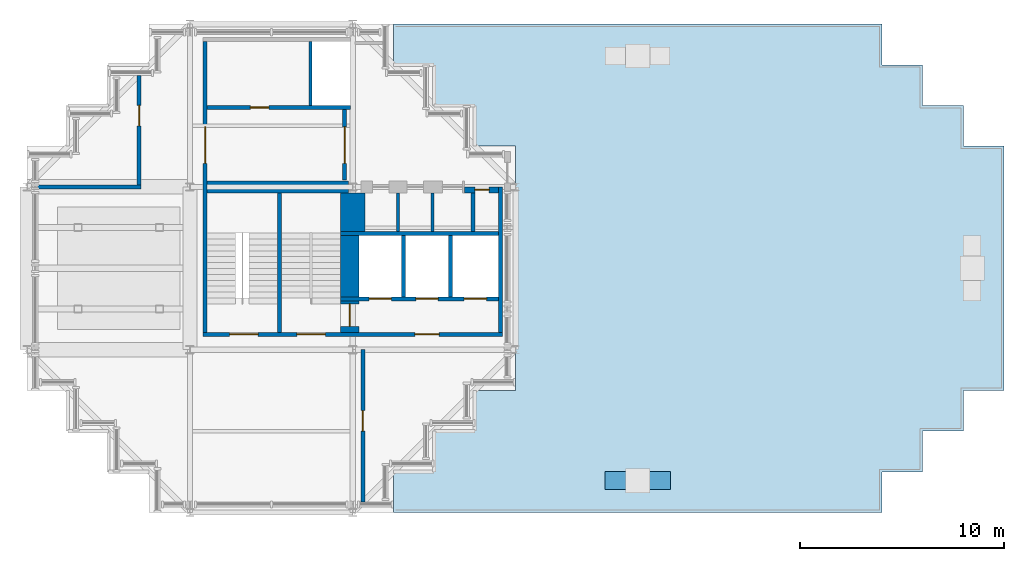
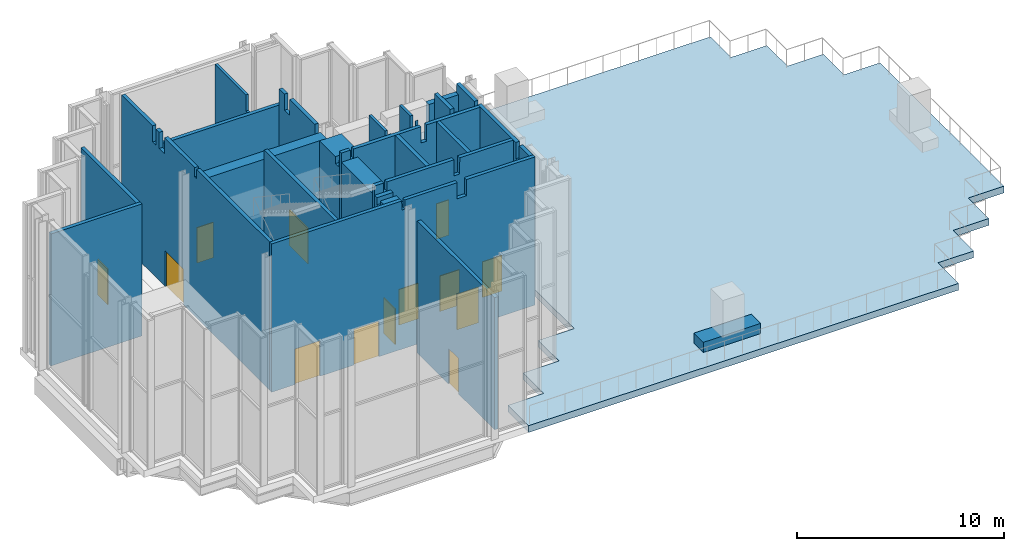
# One storey, part 12 of 15: 23 walls, 13 doors, 1 slab, 13 openings.
"""IFC4 building model written with IfcOpenShell, lengths in metres."""

from ifc_helpers import new_model, si_unit, direction, frame, frame_2d, origin, place, context, subcontext, project, spatial, polyline, rectangle, outline, extrude, material, layer, layer_set, type_object, element, fill, save


model = new_model("IFC4")

# Units and contexts
model_context = context("Model", 3, precision=1e-05, world=origin(), true_north=direction((0.0, 1.0)))
body_context = subcontext(model_context, "Body", "Model", "MODEL_VIEW")
ifc_project = project(units=[si_unit("LENGTHUNIT", "METRE"), si_unit("AREAUNIT", "SQUARE_METRE"), si_unit("VOLUMEUNIT", "CUBIC_METRE"), si_unit("PLANEANGLEUNIT", "RADIAN"), si_unit("MASSUNIT", "GRAM", prefix="KILO")], contexts=[model_context])

# Site, building, storey
site_placement = place(None, origin())
site = spatial("IfcSite", under=ifc_project, at=site_placement, CompositionType="ELEMENT")
building_placement = place(site_placement, origin())
building = spatial("IfcBuilding", under=site, at=building_placement, Name="Immortelle Media Tower", CompositionType="ELEMENT")
storey_placement = place(building_placement, frame((0.0, 0.0, 299.0)))
storey = spatial("IfcBuildingStorey", under=building, at=storey_placement, Name="L66", CompositionType="ELEMENT", Elevation=299.0)

# Slab
ifc_material_1 = material(Name="Concrete C50/60 composite deck", Category="concrete")
ifc_layer_1 = layer(ifc_material_1, 0.39990234375)
ifc_layer_set_1 = layer_set([ifc_layer_1], Name="Concrete C50/60 composite deck")
slab_type = type_object("IfcSlabType", Name="Terrace slab 400", PredefinedType="ROOF", material=ifc_layer_set_1)
slab_placement = place(storey_placement, frame((0.0, 0.0, -0.39990234375)))
element("IfcSlab", 1, at=slab_placement, inside=storey, type_object=slab_type, Name="Roof terrace slab L66 SE0", PredefinedType="ROOF", context=body_context, shape_type="SweptSolid", body=[
    extrude(outline(polyline([(42.0, 24.0), (42.0, 22.0), (44.0, 22.0), (44.0, 20.0), (46.0, 20.0), (46.0, 18.0), (48.0, 18.0), (48.0, 6.0), (46.0, 6.0), (46.0, 4.0), (44.0, 4.0), (44.0, 2.0), (42.0, 2.0), (42.0, 0.0), (24.0, 0.0), (18.001953125, 0.0), (18.001953125, 1.998046875), (20.001953125, 1.998046875), (20.001953125, 3.998046875), (22.001953125, 3.998046875), (22.001953125, 5.998046875), (24.001953125, 5.998046875), (24.001953125, 8.001953125), (24.0, 8.001953125), (24.0, 18.0), (22.0, 18.0), (22.0, 20.0), (20.0, 20.0), (20.0, 22.0), (18.0, 22.0), (18.0, 24.0), (24.0, 24.0), (42.0, 24.0)])), origin(), (0.0, 0.0, 1.0), 0.39990234375),
])

# Walls
ifc_material_2 = material(Name="Fire-rated gypsum board", Category="gypsum")
ifc_layer_2 = layer(ifc_material_2, 0.02490234375)
ifc_material_3 = material(Name="Steel ASTM A653 SS Gr 50 stud frame with mineral wool", Category="steel")
ifc_layer_3 = layer(ifc_material_3, 0.10009765625)
ifc_layer_4 = layer(ifc_material_2, 0.02490234375)
ifc_layer_set_2 = layer_set([ifc_layer_2, ifc_layer_3, ifc_layer_4], Name="Steel ASTM A653 SS Gr 50 stud frame with mineral wool")
wall_type_1 = type_object("IfcWallType", Name="Core partition 150", PredefinedType="PARTITIONING", material=ifc_layer_set_2)
wall_1_placement = place(storey_placement, frame((13.925048828125, 20.0, 0.0), z_axis=(0.0, 0.0, 1.0), x_axis=(0.0, 1.0, 0.0)))
element("IfcWall", 2, at=wall_1_placement, inside=storey, type_object=wall_type_1, Name="Core partition SW", PredefinedType="PARTITIONING", context=body_context, shape_type="SweptSolid", body=[
    extrude(outline(polyline([(0.0, 0.0), (3.14990234375, 0.0), (3.14990234375, 8.75), (0.159912109375, 8.75), (0.158935546875, 7.7939453125), (0.0, 7.7939453125), (0.0, 0.0)])), frame((0.0, 0.074951171875, 0.0), z_axis=(0.0, -1.0, 0.0), x_axis=(1.0, 0.0, 0.0)), (0.0, 0.0, 1.0), 0.14990234375),
])
wall_2_placement = place(storey_placement, frame((18.22509765625, 13.800048828125, 0.0), z_axis=(0.0, 0.0, 1.0), x_axis=(0.0, 1.0, 0.0)))
element("IfcWall", 3, at=wall_2_placement, inside=storey, type_object=wall_type_1, Name="Core partition SW", PredefinedType="PARTITIONING", context=body_context, shape_type="SweptSolid", body=[
    extrude(outline(polyline([(0.0, 0.0), (1.89990234375, 0.0), (1.89990234375, 8.75), (0.35986328125, 8.75), (0.35888671875, 7.7939453125), (0.041015625, 7.7939453125), (0.0400390625, 8.75), (0.0, 8.75), (0.0, 0.0)])), frame((0.0, 0.074951171875, 0.0), z_axis=(0.0, -1.0, 0.0), x_axis=(1.0, 0.0, 0.0)), (0.0, 0.0, 1.0), 0.14990234375),
])
wall_3_placement = place(storey_placement, frame((19.925048828125, 13.800048828125, 0.0), z_axis=(0.0, 0.0, 1.0), x_axis=(0.0, 1.0, 0.0)))
element("IfcWall", 4, at=wall_3_placement, inside=storey, type_object=wall_type_1, Name="Core partition SW", PredefinedType="PARTITIONING", context=body_context, shape_type="SweptSolid", body=[
    extrude(outline(polyline([(0.0, 0.0), (1.89990234375, 0.0), (1.89990234375, 8.75), (0.853759765625, 8.75), (0.852783203125, 7.7939453125), (0.37939453125, 7.7939453125), (0.37841796875, 8.75), (0.35986328125, 8.75), (0.35888671875, 7.7939453125), (0.0, 7.7939453125), (0.0, 0.0)])), frame((0.0, 0.074951171875, 0.0), z_axis=(0.0, -1.0, 0.0), x_axis=(1.0, 0.0, 0.0)), (0.0, 0.0, 1.0), 0.14990234375),
])

# Wall, opening, door
ifc_layer_5 = layer(ifc_material_2, 0.03759765625)
ifc_layer_6 = layer(ifc_material_3, 0.125)
ifc_layer_7 = layer(ifc_material_2, 0.03759765625)
ifc_layer_set_3 = layer_set([ifc_layer_5, ifc_layer_6, ifc_layer_7], Name="Steel ASTM A653 SS Gr 50 stud frame with mineral wool")
wall_type_2 = type_object("IfcWallType", Name="Core shaft wall 200", PredefinedType="PARTITIONING", material=ifc_layer_set_3)
wall_4_placement = place(storey_placement, frame((8.85009765625, 19.89990234375, 0.0), z_axis=(0.0, 0.0, 1.0), x_axis=(1.0, 0.0, 0.0)))
wall_4 = element("IfcWall", 5, at=wall_4_placement, inside=storey, type_object=wall_type_2, Name="Core shaft wall SW", PredefinedType="PARTITIONING", context=body_context, shape_type="SweptSolid", body=[
    extrude(rectangle(XDim=7.0498046875, YDim=0.199951171875, at=frame_2d((3.52490234375, 0.0))), origin(), (0.0, 0.0, 1.0), 7.7939453125),
])
opening_1_placement = place(wall_4_placement, frame((2.125, 0.0, 0.0)))
opening_1 = element("IfcOpeningElement", 6, at=opening_1_placement, cuts=wall_4, Name="Opening L66-K003", PredefinedType="OPENING", context=body_context, shape_type="SweptSolid", body=[
    extrude(rectangle(XDim=0.89990234375, YDim=2.10009765625, at=frame_2d((0.449951171875, 1.050048828125))), frame((0.0, 0.10986328125, 0.0), z_axis=(0.0, -1.0, 0.0), x_axis=(1.0, 0.0, 0.0)), (0.0, 0.0, 1.0), 0.219970703125),
])
ifc_material_4 = material(Name="Galvanised steel door leaf and frame ASTM A653", Category="steel")
door_type_1 = type_object("IfcDoorType", Name="Service door 900 x 2100", OperationType="NOTDEFINED", PredefinedType="NOTDEFINED", material=ifc_material_4)
door_1_placement = place(opening_1_placement, origin())
door_1 = element("IfcDoor", 7, at=door_1_placement, inside=storey, type_object=door_type_1, Name="Service L66-K003", OperationType="SINGLE_SWING_RIGHT", OverallHeight=2.10009765625, OverallWidth=0.89990234375, PredefinedType="NOTDEFINED", context=body_context, shape_type="SweptSolid", body=[
    extrude(rectangle(XDim=0.89990234375, YDim=2.10009765625, at=frame_2d((0.449951171875, 1.050048828125))), frame((0.0, 0.02490234375, 0.0), z_axis=(0.0, -1.0, 0.0), x_axis=(1.0, 0.0, 0.0)), (0.0, 0.0, 1.0), 0.050048828125),
])
fill(opening_1, door_1)

# Wall, openings, doors
wall_5_placement = place(storey_placement, frame((15.39990234375, 10.5, 0.0), z_axis=(0.0, 0.0, 1.0), x_axis=(1.0, 0.0, 0.0)))
wall_5 = element("IfcWall", 8, at=wall_5_placement, inside=storey, type_object=wall_type_2, Name="Core shaft wall SW", PredefinedType="PARTITIONING", context=body_context, shape_type="SweptSolid", body=[
    extrude(outline(polyline([(0.0, 0.0), (7.75, 0.0), (7.75, 8.75), (4.760009765625, 8.75), (4.759033203125, 7.7939453125), (4.44091796875, 7.7939453125), (4.43994140625, 8.75), (0.6884765625, 8.75), (0.6875, 8.2080078125), (0.512451171875, 8.2080078125), (0.511474609375, 8.75), (0.0, 8.75), (0.0, 0.0)])), frame((0.0, 0.10009765625, 0.0), z_axis=(0.0, -1.0, 0.0), x_axis=(1.0, 0.0, 0.0)), (0.0, 0.0, 1.0), 0.199951171875),
])
opening_2_placement = place(wall_5_placement, frame((1.39990234375, 0.0, 0.0)))
opening_2 = element("IfcOpeningElement", 9, at=opening_2_placement, cuts=wall_5, Name="Opening LD", PredefinedType="OPENING", context=body_context, shape_type="SweptSolid", body=[
    extrude(rectangle(XDim=1.10009765625, YDim=2.10009765625, at=frame_2d((0.550048828125, 1.050048828125))), frame((0.0, 0.10986328125, 0.0), z_axis=(0.0, -1.0, 0.0), x_axis=(1.0, 0.0, 0.0)), (0.0, 0.0, 1.0), 0.219970703125),
])
opening_3_placement = place(wall_5_placement, frame((3.699951171875, 0.0, 0.0)))
opening_3 = element("IfcOpeningElement", 10, at=opening_3_placement, cuts=wall_5, Name="Opening LD", PredefinedType="OPENING", context=body_context, shape_type="SweptSolid", body=[
    extrude(rectangle(XDim=1.10009765625, YDim=2.10009765625, at=frame_2d((0.550048828125, 1.050048828125))), frame((0.0, 0.10986328125, 0.0), z_axis=(0.0, -1.0, 0.0), x_axis=(1.0, 0.0, 0.0)), (0.0, 0.0, 1.0), 0.219970703125),
])
opening_4_placement = place(wall_5_placement, frame((6.074951171875, 0.0, 0.0)))
opening_4 = element("IfcOpeningElement", 11, at=opening_4_placement, cuts=wall_5, Name="Opening LD", PredefinedType="OPENING", context=body_context, shape_type="SweptSolid", body=[
    extrude(rectangle(XDim=1.10009765625, YDim=2.10009765625, at=frame_2d((0.550048828125, 1.050048828125))), frame((0.0, 0.10986328125, 0.0), z_axis=(0.0, -1.0, 0.0), x_axis=(1.0, 0.0, 0.0)), (0.0, 0.0, 1.0), 0.219970703125),
])
ifc_material_5 = material(Name="Stainless steel AISI 304", Category="steel")
door_type_2 = type_object("IfcDoorType", Name="Landing door 1100 x 2100", OperationType="SLIDING_TO_LEFT", PredefinedType="NOTDEFINED", material=ifc_material_5)
door_2_placement = place(opening_2_placement, origin())
door_2 = element("IfcDoor", 12, at=door_2_placement, inside=storey, type_object=door_type_2, Name="Landing door FF1 L66", OperationType="SLIDING_TO_LEFT", OverallHeight=2.10009765625, OverallWidth=1.10009765625, PredefinedType="NOTDEFINED", context=body_context, shape_type="SweptSolid", body=[
    extrude(rectangle(XDim=1.10009765625, YDim=2.10009765625, at=frame_2d((0.550048828125, 1.050048828125))), frame((0.0, 0.02490234375, 0.0), z_axis=(0.0, -1.0, 0.0), x_axis=(1.0, 0.0, 0.0)), (0.0, 0.0, 1.0), 0.050048828125),
])
fill(opening_2, door_2)
door_3_placement = place(opening_3_placement, origin())
door_3 = element("IfcDoor", 13, at=door_3_placement, inside=storey, type_object=door_type_2, Name="Landing door FF2 L66", OperationType="SLIDING_TO_LEFT", OverallHeight=2.10009765625, OverallWidth=1.10009765625, PredefinedType="NOTDEFINED", context=body_context, shape_type="SweptSolid", body=[
    extrude(rectangle(XDim=1.10009765625, YDim=2.10009765625, at=frame_2d((0.550048828125, 1.050048828125))), frame((0.0, 0.02490234375, 0.0), z_axis=(0.0, -1.0, 0.0), x_axis=(1.0, 0.0, 0.0)), (0.0, 0.0, 1.0), 0.050048828125),
])
fill(opening_3, door_3)
door_4_placement = place(opening_4_placement, origin())
door_4 = element("IfcDoor", 14, at=door_4_placement, inside=storey, type_object=door_type_2, Name="Landing door FF3 L66", OperationType="SLIDING_TO_LEFT", OverallHeight=2.10009765625, OverallWidth=1.10009765625, PredefinedType="NOTDEFINED", context=body_context, shape_type="SweptSolid", body=[
    extrude(rectangle(XDim=1.10009765625, YDim=2.10009765625, at=frame_2d((0.550048828125, 1.050048828125))), frame((0.0, 0.02490234375, 0.0), z_axis=(0.0, -1.0, 0.0), x_axis=(1.0, 0.0, 0.0)), (0.0, 0.0, 1.0), 0.050048828125),
])
fill(opening_4, door_4)

# Wall
wall_6_placement = place(storey_placement, frame((15.39990234375, 13.699951171875, 0.0), z_axis=(0.0, 0.0, 1.0), x_axis=(1.0, 0.0, 0.0)))
element("IfcWall", 15, at=wall_6_placement, inside=storey, type_object=wall_type_2, Name="Core shaft wall SW", PredefinedType="PARTITIONING", context=body_context, shape_type="SweptSolid", body=[
    extrude(outline(polyline([(0.0, 0.0), (7.75, 0.0), (7.75, 8.75), (4.760009765625, 8.75), (4.759033203125, 7.7939453125), (4.44091796875, 7.7939453125), (4.43994140625, 8.75), (0.6884765625, 8.75), (0.6875, 8.2080078125), (0.512451171875, 8.2080078125), (0.511474609375, 8.75), (0.0, 8.75), (0.0, 0.0)])), frame((0.0, 0.10009765625, 0.0), z_axis=(0.0, -1.0, 0.0), x_axis=(1.0, 0.0, 0.0)), (0.0, 0.0, 1.0), 0.199951171875),
])

# Wall, opening, door
wall_7_placement = place(storey_placement, frame((15.60009765625, 16.346923828125, 0.0), z_axis=(0.0, 0.0, 1.0), x_axis=(0.0, 1.0, 0.0)))
wall_7 = element("IfcWall", 16, at=wall_7_placement, inside=storey, type_object=wall_type_2, Name="Core shaft wall SW", PredefinedType="PARTITIONING", context=body_context, shape_type="SweptSolid", body=[
    extrude(outline(polyline([(0.0, 0.0), (3.453125, 0.0), (3.452880859375, 8.75), (2.940673828125, 8.75), (2.939697265625, 7.7939453125), (2.4287109375, 7.7939453125), (2.427734375, 8.75), (0.0, 8.75), (0.0, 0.0)])), frame((0.0, 0.10009765625, 0.0), z_axis=(0.0, -1.0, 0.0), x_axis=(1.0, 0.0, 0.0)), (0.0, 0.0, 1.0), 0.199951171875),
])
opening_5_placement = place(wall_7_placement, frame((0.802978515625, 0.0, 0.0)))
opening_5 = element("IfcOpeningElement", 17, at=opening_5_placement, cuts=wall_7, Name="Opening L66-K005", PredefinedType="OPENING", context=body_context, shape_type="SweptSolid", body=[
    extrude(rectangle(XDim=1.800048828125, YDim=2.10009765625, at=frame_2d((0.89990234375, 1.050048828125))), frame((0.0, 0.10986328125, 0.0), z_axis=(0.0, -1.0, 0.0), x_axis=(1.0, 0.0, 0.0)), (0.0, 0.0, 1.0), 0.219970703125),
])
door_type_3 = type_object("IfcDoorType", Name="Lift lobby door 1800 x 2100", OperationType="DOUBLE_DOOR_SINGLE_SWING", PredefinedType="NOTDEFINED", material=ifc_material_4)
door_5_placement = place(opening_5_placement, origin())
door_5 = element("IfcDoor", 18, at=door_5_placement, inside=storey, type_object=door_type_3, Name="Lift lobby L66-K005", OperationType="DOUBLE_DOOR_SINGLE_SWING", OverallHeight=2.10009765625, OverallWidth=1.800048828125, PredefinedType="NOTDEFINED", context=body_context, shape_type="SweptSolid", body=[
    extrude(rectangle(XDim=1.800048828125, YDim=2.10009765625, at=frame_2d((0.89990234375, 1.050048828125))), frame((0.0, 0.02490234375, 0.0), z_axis=(0.0, -1.0, 0.0), x_axis=(1.0, 0.0, 0.0)), (0.0, 0.0, 1.0), 0.050048828125),
])
fill(opening_5, door_5)

# Walls
for number, where, z_axis, x_axis, name in (
    (19, (18.5, 10.60009765625, 0.0), (0.0, 0.0, 1.0), (0.0, 1.0, 0.0), "Core shaft wall SW"),
    (20, (20.800048828125, 10.60009765625, 0.0), (0.0, 0.0, 1.0), (0.0, 1.0, 0.0), "Core shaft wall SW"),
):
    element("IfcWall", number, at=place(storey_placement, frame(where, z_axis=z_axis, x_axis=x_axis)), inside=storey, type_object=wall_type_2, Name=name, PredefinedType="PARTITIONING", context=body_context, shape_type="SweptSolid", body=[
        extrude(rectangle(XDim=3.0, YDim=0.199951171875, at=frame_2d((1.5, 0.0))), origin(), (0.0, 0.0, 1.0), 8.75),
    ])
wall_8_placement = place(storey_placement, frame((21.89990234375, 13.800048828125, 0.0), z_axis=(0.0, 0.0, 1.0), x_axis=(0.0, 1.0, 0.0)))
element("IfcWall", 21, at=wall_8_placement, inside=storey, type_object=wall_type_2, Name="Core shaft wall SW", PredefinedType="PARTITIONING", context=body_context, shape_type="SweptSolid", body=[
    extrude(outline(polyline([(0.0, 0.0), (1.89990234375, 0.0), (1.89990234375, 8.75), (0.35986328125, 8.75), (0.35888671875, 7.7939453125), (0.041015625, 7.7939453125), (0.0400390625, 8.75), (0.0, 8.75), (0.0, 0.0)])), frame((0.0, 0.10009765625, 0.0), z_axis=(0.0, -1.0, 0.0), x_axis=(1.0, 0.0, 0.0)), (0.0, 0.0, 1.0), 0.199951171875),
])
wall_9_placement = place(storey_placement, frame((23.25, 8.85009765625, 0.0), z_axis=(0.0, 0.0, 1.0), x_axis=(0.0, 1.0, 0.0)))
element("IfcWall", 22, at=wall_9_placement, inside=storey, type_object=wall_type_2, Name="Core shaft wall SW", PredefinedType="PARTITIONING", context=body_context, shape_type="SweptSolid", body=[
    extrude(outline(polyline([(0.0, 0.0), (7.14990234375, 0.0), (7.14990234375, 8.2080078125), (7.0625, 8.2080078125), (7.0615234375, 8.75), (5.31005859375, 8.75), (5.30908203125, 7.7939453125), (4.990966796875, 7.7939453125), (4.989990234375, 8.75), (1.31005859375, 8.75), (1.30908203125, 7.7939453125), (0.990966796875, 7.7939453125), (0.989990234375, 8.75), (0.0, 8.75), (0.0, 0.0)])), frame((0.0, 0.10009765625, 0.0), z_axis=(0.0, -1.0, 0.0), x_axis=(1.0, 0.0, 0.0)), (0.0, 0.0, 1.0), 0.199951171875),
])

# Wall, opening, door
ifc_material_6 = material(Name="Fire-rated masonry blockwork", Category="masonry")
ifc_layer_8 = layer(ifc_material_6, 0.300048828125)
ifc_layer_set_4 = layer_set([ifc_layer_8], Name="Fire-rated masonry blockwork")
wall_type_3 = type_object("IfcWallType", Name="Core wall 300", PredefinedType="PARTITIONING", material=ifc_layer_set_4)
wall_10_placement = place(storey_placement, frame((21.5, 15.85009765625, 0.0), z_axis=(0.0, 0.0, 1.0), x_axis=(1.0, 0.0, 0.0)))
wall_10 = element("IfcWall", 23, at=wall_10_placement, inside=storey, type_object=wall_type_3, Name="Core wall SW", PredefinedType="PARTITIONING", context=body_context, shape_type="SweptSolid", body=[
    extrude(rectangle(XDim=1.64990234375, YDim=0.300048828125, at=frame_2d((0.824951171875, 0.0))), origin(), (0.0, 0.0, 1.0), 8.2080078125),
])
opening_6_placement = place(wall_10_placement, frame((1.199951171875, 0.0, 0.0), z_axis=(0.0, 0.0, 1.0), x_axis=(-1.0, 0.0, 0.0)))
opening_6 = element("IfcOpeningElement", 24, at=opening_6_placement, cuts=wall_10, Name="Opening L66-K014", PredefinedType="OPENING", context=body_context, shape_type="SweptSolid", body=[
    extrude(rectangle(XDim=0.699951171875, YDim=2.10009765625, at=frame_2d((0.35009765625, 1.050048828125))), frame((0.0, 0.159912109375, 0.0), z_axis=(0.0, -1.0, 0.0), x_axis=(1.0, 0.0, 0.0)), (0.0, 0.0, 1.0), 0.320068359375),
])
door_type_4 = type_object("IfcDoorType", Name="Service door 700 x 2100", OperationType="NOTDEFINED", PredefinedType="NOTDEFINED", material=ifc_material_4)
door_6_placement = place(opening_6_placement, origin())
door_6 = element("IfcDoor", 25, at=door_6_placement, inside=storey, type_object=door_type_4, Name="Service L66-K014", OperationType="SINGLE_SWING_RIGHT", OverallHeight=2.10009765625, OverallWidth=0.699951171875, PredefinedType="NOTDEFINED", context=body_context, shape_type="SweptSolid", body=[
    extrude(rectangle(XDim=0.699951171875, YDim=2.10009765625, at=frame_2d((0.35009765625, 1.050048828125))), frame((0.0, 0.02490234375, 0.0), z_axis=(0.0, -1.0, 0.0), x_axis=(1.0, 0.0, 0.0)), (0.0, 0.0, 1.0), 0.050048828125),
])
fill(opening_6, door_6)

# Wall
ifc_layer_9 = layer(ifc_material_2, 0.03759765625)
ifc_layer_10 = layer(ifc_material_3, 0.125)
ifc_layer_11 = layer(ifc_material_2, 0.03759765625)
ifc_layer_set_5 = layer_set([ifc_layer_9, ifc_layer_10, ifc_layer_11], Name="Steel ASTM A653 SS Gr 50 stud frame with mineral wool")
wall_type_4 = type_object("IfcWallType", Name="Fire-resisting wall 200", PredefinedType="PARTITIONING", material=ifc_layer_set_5)
wall_11_placement = place(storey_placement, frame((0.52099609375, 16.0, 0.0), z_axis=(0.0, 0.0, 1.0), x_axis=(1.0, 0.0, 0.0)))
element("IfcWall", 26, at=wall_11_placement, inside=storey, type_object=wall_type_4, Name="Fire-resisting wall L66-1", PredefinedType="PARTITIONING", context=body_context, shape_type="SweptSolid", body=[
    extrude(rectangle(XDim=5.0791015625, YDim=0.199951171875, at=frame_2d((2.53955078125, 0.0))), origin(), (0.0, 0.0, 1.0), 7.794921875),
])

# Wall, opening, door
wall_12_placement = place(storey_placement, frame((5.5, 16.10009765625, 0.0), z_axis=(0.0, 0.0, 1.0), x_axis=(0.0, 1.0, 0.0)))
wall_12 = element("IfcWall", 27, at=wall_12_placement, inside=storey, type_object=wall_type_4, Name="Fire-resisting wall L66-2", PredefinedType="PARTITIONING", context=body_context, shape_type="SweptSolid", body=[
    extrude(rectangle(XDim=5.37890625, YDim=0.199951171875, at=frame_2d((2.689453125, 0.0))), origin(), (0.0, 0.0, 1.0), 7.794921875),
])
opening_7_placement = place(wall_12_placement, frame((3.89990234375, 0.0, 0.0), z_axis=(0.0, 0.0, 1.0), x_axis=(-1.0, 0.0, 0.0)))
opening_7 = element("IfcOpeningElement", 28, at=opening_7_placement, cuts=wall_12, Name="Opening L66-X01", PredefinedType="OPENING", context=body_context, shape_type="SweptSolid", body=[
    extrude(rectangle(XDim=1.0, YDim=2.10009765625, at=frame_2d((0.5, 1.050048828125))), frame((0.0, 0.10986328125, 0.0), z_axis=(0.0, -1.0, 0.0), x_axis=(1.0, 0.0, 0.0)), (0.0, 0.0, 1.0), 0.219970703125),
])
door_type_5 = type_object("IfcDoorType", Name="Fire door 1000 x 2100", OperationType="NOTDEFINED", PredefinedType="DOOR", material=ifc_material_4)
door_7_placement = place(opening_7_placement, origin())
door_7 = element("IfcDoor", 29, at=door_7_placement, inside=storey, type_object=door_type_5, Name="Door L66-X01", OperationType="SINGLE_SWING_LEFT", OverallHeight=2.10009765625, OverallWidth=1.0, PredefinedType="DOOR", context=body_context, shape_type="SweptSolid", body=[
    extrude(rectangle(XDim=1.0, YDim=2.10009765625, at=frame_2d((0.5, 1.050048828125))), frame((0.0, 0.02490234375, 0.0), z_axis=(0.0, -1.0, 0.0), x_axis=(1.0, 0.0, 0.0)), (0.0, 0.0, 1.0), 0.050048828125),
])
fill(opening_7, door_7)

wall_13_placement = place(storey_placement, frame((16.5, 0.52099609375, 0.0), z_axis=(0.0, 0.0, 1.0), x_axis=(0.0, 1.0, 0.0)))
wall_13 = element("IfcWall", 30, at=wall_13_placement, inside=storey, type_object=wall_type_4, Name="Fire-resisting wall L66-3", PredefinedType="PARTITIONING", context=body_context, shape_type="SweptSolid", body=[
    extrude(rectangle(XDim=7.47900390625, YDim=0.199951171875, at=frame_2d((3.739501953125, 0.0))), origin(), (0.0, 0.0, 1.0), 7.794921875),
])
opening_8_placement = place(wall_13_placement, frame((3.47900390625, 0.0, 0.0)))
opening_8 = element("IfcOpeningElement", 31, at=opening_8_placement, cuts=wall_13, Name="Opening L66-X02", PredefinedType="OPENING", context=body_context, shape_type="SweptSolid", body=[
    extrude(rectangle(XDim=1.0, YDim=2.10009765625, at=frame_2d((0.5, 1.050048828125))), frame((0.0, 0.10986328125, 0.0), z_axis=(0.0, -1.0, 0.0), x_axis=(1.0, 0.0, 0.0)), (0.0, 0.0, 1.0), 0.219970703125),
])
door_8_placement = place(opening_8_placement, origin())
door_8 = element("IfcDoor", 32, at=door_8_placement, inside=storey, type_object=door_type_5, Name="Door L66-X02", OperationType="SINGLE_SWING_RIGHT", OverallHeight=2.10009765625, OverallWidth=1.0, PredefinedType="DOOR", context=body_context, shape_type="SweptSolid", body=[
    extrude(rectangle(XDim=1.0, YDim=2.10009765625, at=frame_2d((0.5, 1.050048828125))), frame((0.0, 0.02490234375, 0.0), z_axis=(0.0, -1.0, 0.0), x_axis=(1.0, 0.0, 0.0)), (0.0, 0.0, 1.0), 0.050048828125),
])
fill(opening_8, door_8)

# Walls
ifc_material_7 = material(Name="Pale aluminium cladding panel", Category="aluminium")
ifc_layer_12 = layer(ifc_material_7, 0.0029296875)
ifc_material_8 = material(Name="Steel ASTM A572 Gr 50 planter shell", Category="steel")
ifc_layer_13 = layer(ifc_material_8, 0.011962890625)
ifc_material_9 = material(Name="Planting substrate", Category="soil")
ifc_layer_14 = layer(ifc_material_9, 0.873046875)
ifc_layer_15 = layer(ifc_material_8, 0.011962890625)
ifc_layer_set_6 = layer_set([ifc_layer_12, ifc_layer_13, ifc_layer_14, ifc_layer_15], Name="Steel ASTM A572 Gr 50 planter shell")
wall_type_5 = type_object("IfcWallType", Name="Planter wall 900", PredefinedType="SOLIDWALL", material=ifc_layer_set_6)
wall_14_placement = place(storey_placement, frame((31.60107421875, 1.570068359375, 0.0), z_axis=(0.0, 0.0, 1.0), x_axis=(-1.0, 0.0, 0.0)))
element("IfcWall", 33, at=wall_14_placement, inside=storey, type_object=wall_type_5, Name="Terrace planter L66 SE0.0-3", PredefinedType="SOLIDWALL", context=body_context, shape_type="SweptSolid", body=[
    extrude(rectangle(XDim=3.2001953125, YDim=0.89990234375, at=frame_2d((1.60009765625, 0.0))), origin(), (0.0, 0.0, 1.0), 0.60009765625),
])
ifc_material_10 = material(Name="Concrete C60", Category="concrete")
ifc_layer_16 = layer(ifc_material_10, 1.199951171875)
ifc_layer_set_7 = layer_set([ifc_layer_16], Name="Concrete C60")
wall_type_6 = type_object("IfcWallType", Name="Stair shaft wall 1200", PredefinedType="PARTITIONING", material=ifc_layer_set_7)
wall_15_placement = place(storey_placement, frame((16.0, 13.800048828125, 0.0), z_axis=(0.0, 0.0, 1.0), x_axis=(0.0, 1.0, 0.0)))
element("IfcWall", 34, at=wall_15_placement, inside=storey, type_object=wall_type_6, Name="Stair shaft wall SW", PredefinedType="PARTITIONING", context=body_context, shape_type="SweptSolid", body=[
    extrude(outline(polyline([(0.0, 0.0), (1.89990234375, 0.0), (1.89990234375, 8.2080078125), (0.35986328125, 8.2080078125), (0.35888671875, 7.7939453125), (0.041015625, 7.7939453125), (0.0400390625, 8.2080078125), (0.0, 8.2080078125), (0.0, 0.0)])), frame((0.0, 0.60009765625, 0.0), z_axis=(0.0, -1.0, 0.0), x_axis=(1.0, 0.0, 0.0)), (0.0, 0.0, 1.0), 1.199951171875),
])

# Wall, openings, doors
ifc_layer_17 = layer(ifc_material_10, 0.199951171875)
ifc_layer_set_8 = layer_set([ifc_layer_17], Name="Concrete C60")
wall_type_7 = type_object("IfcWallType", Name="Stair shaft wall 200", PredefinedType="PARTITIONING", material=ifc_layer_set_8)
wall_16_placement = place(storey_placement, frame((8.64990234375, 8.75, 0.0), z_axis=(0.0, 0.0, 1.0), x_axis=(1.0, 0.0, 0.0)))
wall_16 = element("IfcWall", 35, at=wall_16_placement, inside=storey, type_object=wall_type_7, Name="Stair shaft wall SW", PredefinedType="PARTITIONING", context=body_context, shape_type="SweptSolid", body=[
    extrude(outline(polyline([(0.0, 0.0), (14.7001953125, 0.0), (14.699951171875, 8.75), (10.87158203125, 8.75), (10.87060546875, 7.7939453125), (10.359619140625, 7.7939453125), (10.358642578125, 8.75), (7.4384765625, 8.75), (7.4375, 8.2080078125), (7.262451171875, 8.2080078125), (7.261474609375, 8.75), (0.0, 8.75), (0.0, 0.0)])), frame((0.0, 0.10009765625, 0.0), z_axis=(0.0, -1.0, 0.0), x_axis=(1.0, 0.0, 0.0)), (0.0, 0.0, 1.0), 0.199951171875),
])
opening_9_placement = place(wall_16_placement, frame((1.300048828125, 0.0, 0.0)))
opening_9 = element("IfcOpeningElement", 36, at=opening_9_placement, cuts=wall_16, Name="Opening L66-K002", PredefinedType="OPENING", context=body_context, shape_type="SweptSolid", body=[
    extrude(rectangle(XDim=1.39990234375, YDim=2.10009765625, at=frame_2d((0.699951171875, 1.050048828125))), frame((0.0, 0.10986328125, 0.0), z_axis=(0.0, -1.0, 0.0), x_axis=(1.0, 0.0, 0.0)), (0.0, 0.0, 1.0), 0.219970703125),
])
opening_10_placement = place(wall_16_placement, frame((4.60009765625, 0.0, 0.0)))
opening_10 = element("IfcOpeningElement", 37, at=opening_10_placement, cuts=wall_16, Name="Opening L66-K004", PredefinedType="OPENING", context=body_context, shape_type="SweptSolid", body=[
    extrude(rectangle(XDim=1.39990234375, YDim=2.10009765625, at=frame_2d((0.699951171875, 1.050048828125))), frame((0.0, 0.10986328125, 0.0), z_axis=(0.0, -1.0, 0.0), x_axis=(1.0, 0.0, 0.0)), (0.0, 0.0, 1.0), 0.219970703125),
])
opening_11_placement = place(wall_16_placement, frame((10.39990234375, 0.0, 0.0)))
opening_11 = element("IfcOpeningElement", 38, at=opening_11_placement, cuts=wall_16, Name="Opening L66-K010", PredefinedType="OPENING", context=body_context, shape_type="SweptSolid", body=[
    extrude(rectangle(XDim=1.199951171875, YDim=2.10009765625, at=frame_2d((0.60009765625, 1.050048828125))), frame((0.0, 0.10986328125, 0.0), z_axis=(0.0, -1.0, 0.0), x_axis=(1.0, 0.0, 0.0)), (0.0, 0.0, 1.0), 0.219970703125),
])
door_type_6 = type_object("IfcDoorType", Name="Fire-fighting lobby door 1200 x 2100", OperationType="NOTDEFINED", PredefinedType="NOTDEFINED", material=ifc_material_4)
door_9_placement = place(opening_11_placement, origin())
door_9 = element("IfcDoor", 39, at=door_9_placement, inside=storey, type_object=door_type_6, Name="Fire-fighting lobby L66-K010", OperationType="SINGLE_SWING_LEFT", OverallHeight=2.10009765625, OverallWidth=1.199951171875, PredefinedType="NOTDEFINED", context=body_context, shape_type="SweptSolid", body=[
    extrude(rectangle(XDim=1.199951171875, YDim=2.10009765625, at=frame_2d((0.60009765625, 1.050048828125))), frame((0.0, 0.02490234375, 0.0), z_axis=(0.0, -1.0, 0.0), x_axis=(1.0, 0.0, 0.0)), (0.0, 0.0, 1.0), 0.050048828125),
])
fill(opening_11, door_9)
door_type_7 = type_object("IfcDoorType", Name="Stair door 1400 x 2100", OperationType="DOUBLE_DOOR_SINGLE_SWING", PredefinedType="NOTDEFINED", material=ifc_material_4)
door_10_placement = place(opening_9_placement, origin())
door_10 = element("IfcDoor", 40, at=door_10_placement, inside=storey, type_object=door_type_7, Name="Stair L66-K002", OperationType="DOUBLE_DOOR_SINGLE_SWING", OverallHeight=2.10009765625, OverallWidth=1.39990234375, PredefinedType="NOTDEFINED", context=body_context, shape_type="SweptSolid", body=[
    extrude(rectangle(XDim=1.39990234375, YDim=2.10009765625, at=frame_2d((0.699951171875, 1.050048828125))), frame((0.0, 0.02490234375, 0.0), z_axis=(0.0, -1.0, 0.0), x_axis=(1.0, 0.0, 0.0)), (0.0, 0.0, 1.0), 0.050048828125),
])
fill(opening_9, door_10)
door_11_placement = place(opening_10_placement, origin())
door_11 = element("IfcDoor", 41, at=door_11_placement, inside=storey, type_object=door_type_7, Name="Stair L66-K004", OperationType="DOUBLE_DOOR_SINGLE_SWING", OverallHeight=2.10009765625, OverallWidth=1.39990234375, PredefinedType="NOTDEFINED", context=body_context, shape_type="SweptSolid", body=[
    extrude(rectangle(XDim=1.39990234375, YDim=2.10009765625, at=frame_2d((0.699951171875, 1.050048828125))), frame((0.0, 0.02490234375, 0.0), z_axis=(0.0, -1.0, 0.0), x_axis=(1.0, 0.0, 0.0)), (0.0, 0.0, 1.0), 0.050048828125),
])
fill(opening_10, door_11)

# Wall, opening, door
wall_17_placement = place(storey_placement, frame((8.75, 8.85009765625, 0.0), z_axis=(0.0, 0.0, 1.0), x_axis=(0.0, 1.0, 0.0)))
wall_17 = element("IfcWall", 42, at=wall_17_placement, inside=storey, type_object=wall_type_7, Name="Stair shaft wall SW", PredefinedType="PARTITIONING", context=body_context, shape_type="SweptSolid", body=[
    extrude(outline(polyline([(0.0, 0.0), (14.2998046875, 0.0), (14.300048828125, 8.75), (11.31005859375, 8.75), (11.30908203125, 7.7939453125), (10.990966796875, 7.7939453125), (10.989990234375, 8.75), (10.671630859375, 8.75), (10.670654296875, 7.7939453125), (10.15966796875, 7.7939453125), (10.15869140625, 8.75), (7.238525390625, 8.75), (7.237548828125, 8.2080078125), (7.0625, 8.2080078125), (7.0615234375, 8.75), (0.0, 8.75), (0.0, 0.0)])), frame((0.0, 0.10009765625, 0.0), z_axis=(0.0, -1.0, 0.0), x_axis=(1.0, 0.0, 0.0)), (0.0, 0.0, 1.0), 0.199951171875),
])
opening_12_placement = place(wall_17_placement, frame((8.300048828125, 0.0, 0.0)))
opening_12 = element("IfcOpeningElement", 43, at=opening_12_placement, cuts=wall_17, Name="Opening L66-K001", PredefinedType="OPENING", context=body_context, shape_type="SweptSolid", body=[
    extrude(rectangle(XDim=1.800048828125, YDim=2.10009765625, at=frame_2d((0.89990234375, 1.050048828125))), frame((0.0, 0.10986328125, 0.0), z_axis=(0.0, -1.0, 0.0), x_axis=(1.0, 0.0, 0.0)), (0.0, 0.0, 1.0), 0.219970703125),
])
door_12_placement = place(opening_12_placement, origin())
door_12 = element("IfcDoor", 44, at=door_12_placement, inside=storey, type_object=door_type_3, Name="Lift lobby L66-K001", OperationType="DOUBLE_DOOR_SINGLE_SWING", OverallHeight=2.10009765625, OverallWidth=1.800048828125, PredefinedType="NOTDEFINED", context=body_context, shape_type="SweptSolid", body=[
    extrude(rectangle(XDim=1.800048828125, YDim=2.10009765625, at=frame_2d((0.89990234375, 1.050048828125))), frame((0.0, 0.02490234375, 0.0), z_axis=(0.0, -1.0, 0.0), x_axis=(1.0, 0.0, 0.0)), (0.0, 0.0, 1.0), 0.050048828125),
])
fill(opening_12, door_12)

# Walls
wall_18_placement = place(storey_placement, frame((12.39990234375, 8.85009765625, 0.0), z_axis=(0.0, 0.0, 1.0), x_axis=(0.0, 1.0, 0.0)))
element("IfcWall", 45, at=wall_18_placement, inside=storey, type_object=wall_type_7, Name="Stair shaft wall SW", PredefinedType="PARTITIONING", context=body_context, shape_type="SweptSolid", body=[
    extrude(rectangle(XDim=6.849853515625, YDim=0.199951171875, at=frame_2d((3.4248046875, 0.0))), origin(), (0.0, 0.0, 1.0), 8.75),
])
ifc_layer_18 = layer(ifc_material_10, 0.60009765625)
ifc_layer_set_9 = layer_set([ifc_layer_18], Name="Concrete C60")
wall_type_8 = type_object("IfcWallType", Name="Stair shaft wall 600", PredefinedType="PARTITIONING", material=ifc_layer_set_9)
wall_19_placement = place(storey_placement, frame((8.85009765625, 16.0, 0.0), z_axis=(0.0, 0.0, 1.0), x_axis=(1.0, 0.0, 0.0)))
element("IfcWall", 46, at=wall_19_placement, inside=storey, type_object=wall_type_8, Name="Stair shaft wall SW", PredefinedType="PARTITIONING", context=body_context, shape_type="SweptSolid", body=[
    extrude(rectangle(XDim=6.94287109375, YDim=0.60009765625, at=frame_2d((3.471435546875, 0.0))), origin(), (0.0, 0.0, 1.0), 8.2080078125),
])

# Wall, opening, door
ifc_layer_19 = layer(ifc_material_10, 0.89990234375)
ifc_layer_set_10 = layer_set([ifc_layer_19], Name="Concrete C60")
wall_type_9 = type_object("IfcWallType", Name="Stair shaft wall 900", PredefinedType="PARTITIONING", material=ifc_layer_set_10)
wall_20_placement = place(storey_placement, frame((15.85009765625, 8.85009765625, 0.0), z_axis=(0.0, 0.0, 1.0), x_axis=(0.0, 1.0, 0.0)))
wall_20 = element("IfcWall", 47, at=wall_20_placement, inside=storey, type_object=wall_type_9, Name="Stair shaft wall SW", PredefinedType="PARTITIONING", context=body_context, shape_type="SweptSolid", body=[
    extrude(outline(polyline([(0.0, 0.0), (1.5498046875, 0.0), (1.550048828125, 8.2080078125), (1.31005859375, 8.2080078125), (1.30908203125, 7.7939453125), (0.990966796875, 7.7939453125), (0.989990234375, 8.2080078125), (0.0, 8.2080078125), (0.0, 0.0)])), frame((0.0, 0.449951171875, 0.0), z_axis=(0.0, -1.0, 0.0), x_axis=(1.0, 0.0, 0.0)), (0.0, 0.0, 1.0), 0.89990234375),
])
opening_13_placement = place(wall_20_placement, frame((0.300048828125, 0.0, 0.0)))
opening_13 = element("IfcOpeningElement", 48, at=opening_13_placement, cuts=wall_20, Name="Opening L66-K006", PredefinedType="OPENING", context=body_context, shape_type="SweptSolid", body=[
    extrude(rectangle(XDim=1.10009765625, YDim=2.10009765625, at=frame_2d((0.550048828125, 1.050048828125))), frame((0.0, 0.4599609375, 0.0), z_axis=(0.0, -1.0, 0.0), x_axis=(1.0, 0.0, 0.0)), (0.0, 0.0, 1.0), 0.919921875),
])
door_type_8 = type_object("IfcDoorType", Name="Stair lobby door 1100 x 2100", OperationType="NOTDEFINED", PredefinedType="NOTDEFINED", material=ifc_material_4)
door_13_placement = place(opening_13_placement, origin())
door_13 = element("IfcDoor", 49, at=door_13_placement, inside=storey, type_object=door_type_8, Name="Stair lobby L66-K006", OperationType="SINGLE_SWING_LEFT", OverallHeight=2.10009765625, OverallWidth=1.10009765625, PredefinedType="NOTDEFINED", context=body_context, shape_type="SweptSolid", body=[
    extrude(rectangle(XDim=1.10009765625, YDim=2.10009765625, at=frame_2d((0.550048828125, 1.050048828125))), frame((0.0, 0.02490234375, 0.0), z_axis=(0.0, -1.0, 0.0), x_axis=(1.0, 0.0, 0.0)), (0.0, 0.0, 1.0), 0.050048828125),
])
fill(opening_13, door_13)

# Wall
wall_21_placement = place(storey_placement, frame((15.85009765625, 10.60009765625, 0.0), z_axis=(0.0, 0.0, 1.0), x_axis=(0.0, 1.0, 0.0)))
element("IfcWall", 50, at=wall_21_placement, inside=storey, type_object=wall_type_9, Name="Stair shaft wall SW", PredefinedType="PARTITIONING", context=body_context, shape_type="SweptSolid", body=[
    extrude(rectangle(XDim=3.0, YDim=0.89990234375, at=frame_2d((1.5, 0.0))), origin(), (0.0, 0.0, 1.0), 8.2080078125),
])

save(model, "model.ifc")
